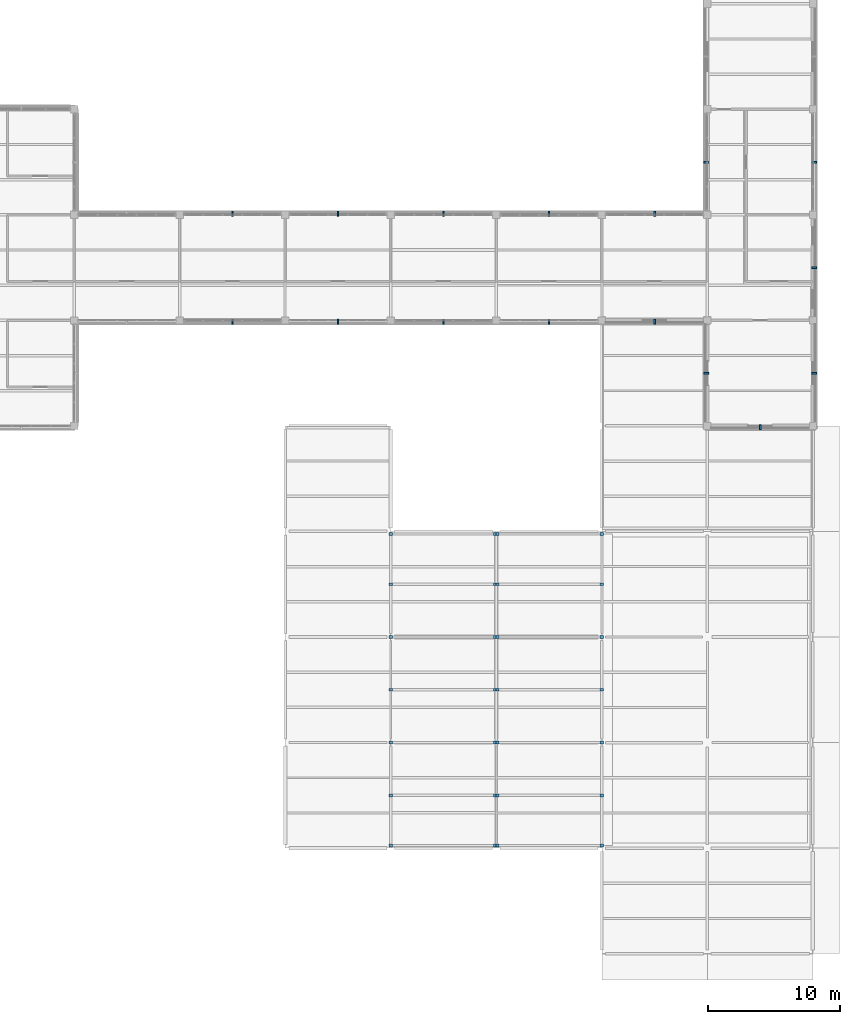
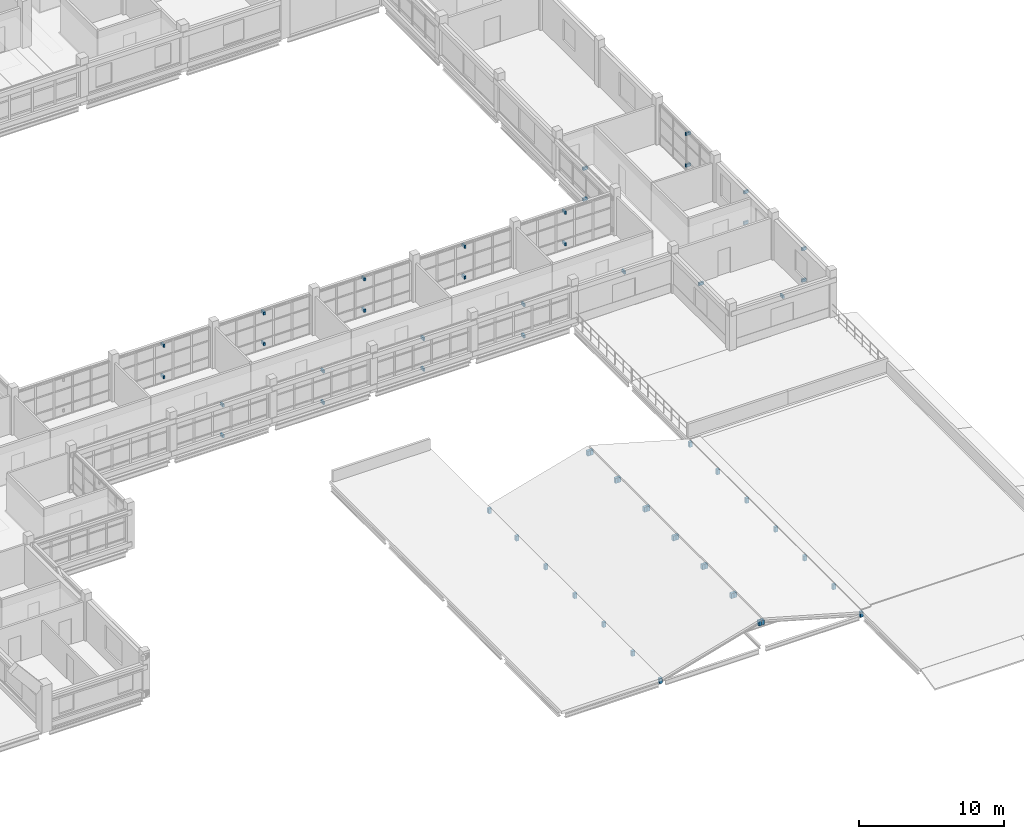
# One storey, part 81 of 92: 57 discrete accessories.
"""IFC4 building model written with IfcOpenShell, lengths in metres."""

from ifc_helpers import new_model, si_unit, derived_unit, direction, frame, origin, origin_2d, place, context, subcontext, project, spatial, rectangle, extrude, material, type_object, element, save


model = new_model("IFC4")

# Units and contexts
model_context = context("Model", 3, precision=1e-05, world=origin(), true_north=direction((0.0, 1.0)))
body_context = subcontext(model_context, "Body", "Model", "MODEL_VIEW")
ifc_project = project(units=[si_unit("LENGTHUNIT", "METRE"), si_unit("AREAUNIT", "SQUARE_METRE"), si_unit("VOLUMEUNIT", "CUBIC_METRE"), si_unit("PLANEANGLEUNIT", "RADIAN"), si_unit("MASSUNIT", "GRAM", prefix="KILO"), derived_unit("THERMALTRANSMITTANCEUNIT", [(si_unit("MASSUNIT", "GRAM", prefix="KILO"), 1), (si_unit("TIMEUNIT", "SECOND"), -3), (si_unit("THERMODYNAMICTEMPERATUREUNIT", "KELVIN"), -1)])], contexts=[model_context])

# Site, building, storey
site_placement = place(None, origin())
site = spatial("IfcSite", under=ifc_project, at=site_placement, CompositionType="ELEMENT")
building_placement = place(site_placement, origin())
building = spatial("IfcBuilding", under=site, at=building_placement, Name="Veyamyaing Civic Hall", CompositionType="ELEMENT")
storey_placement = place(building_placement, frame((0.0, 0.0, 17.820068359375)))
storey = spatial("IfcBuildingStorey", under=building, at=storey_placement, Name="L04", CompositionType="ELEMENT", Elevation=17.820068359375)

# Discrete accessories
ifc_material = material(Name="Steel S355J2", Category="steel")
discrete_accessory_type_1 = type_object("IfcDiscreteAccessoryType", Name="BK-01", PredefinedType="BRACKET", material=ifc_material)
for number, where, z_axis, x_axis, name in (
    (1, (132.0, 47.89990234375, 2.94873046875), (0.0, 0.0, 1.0), (0.0, -1.0, 0.0), "Sunshade anchor bracket BK-01 L04 S 17.7"),
    (2, (132.0, 47.89990234375, 0.35986328125), (0.0, 0.0, 1.0), (0.0, -1.0, 0.0), "Lower ribbon anchor bracket BK-01 L04 S 17.7"),
    (3, (132.0, 56.10009765625, 3.01171875), (0.0, 0.0, 1.0), (0.0, 1.0, 0.0), "Sunshade anchor bracket BK-01 L04 N 17.7"),
    (4, (132.0, 56.10009765625, 0.35986328125), (0.0, 0.0, 1.0), (0.0, 1.0, 0.0), "Lower ribbon anchor bracket BK-01 L04 N 17.7"),
    (5, (140.0, 47.89990234375, 3.01171875), (0.0, 0.0, 1.0), (0.0, -1.0, 0.0), "Sunshade anchor bracket BK-01 L04 S 18.7"),
    (6, (140.0, 47.89990234375, 0.35986328125), (0.0, 0.0, 1.0), (0.0, -1.0, 0.0), "Lower ribbon anchor bracket BK-01 L04 S 18.7"),
    (7, (140.0, 56.10009765625, 2.94482421875), (0.0, 0.0, 1.0), (0.0, 1.0, 0.0), "Sunshade anchor bracket BK-01 L04 N 18.7"),
    (8, (140.0, 56.10009765625, 0.35986328125), (0.0, 0.0, 1.0), (0.0, 1.0, 0.0), "Lower ribbon anchor bracket BK-01 L04 N 18.7"),
    (9, (148.0, 47.89990234375, 2.94482421875), (0.0, 0.0, 1.0), (0.0, -1.0, 0.0), "Sunshade anchor bracket BK-01 L04 S 19.7"),
    (10, (148.0, 47.89990234375, 0.35986328125), (0.0, 0.0, 1.0), (0.0, -1.0, 0.0), "Lower ribbon anchor bracket BK-01 L04 S 19.7"),
    (11, (148.0, 56.10009765625, 3.0087890625), (0.0, 0.0, 1.0), (0.0, 1.0, 0.0), "Sunshade anchor bracket BK-01 L04 N 19.7"),
    (12, (148.0, 56.10009765625, 0.35986328125), (0.0, 0.0, 1.0), (0.0, 1.0, 0.0), "Lower ribbon anchor bracket BK-01 L04 N 19.7"),
    (13, (156.0, 47.89990234375, 3.0087890625), (0.0, 0.0, 1.0), (0.0, -1.0, 0.0), "Sunshade anchor bracket BK-01 L04 S 20.7"),
    (14, (156.0, 47.89990234375, 0.35986328125), (0.0, 0.0, 1.0), (0.0, -1.0, 0.0), "Lower ribbon anchor bracket BK-01 L04 S 20.7"),
    (15, (156.0, 56.10009765625, 2.94873046875), (0.0, 0.0, 1.0), (0.0, 1.0, 0.0), "Sunshade anchor bracket BK-01 L04 N 20.7"),
    (16, (156.0, 56.10009765625, 0.35986328125), (0.0, 0.0, 1.0), (0.0, 1.0, 0.0), "Lower ribbon anchor bracket BK-01 L04 N 20.7"),
    (17, (164.0, 47.89990234375, 2.94873046875), (0.0, 0.0, 1.0), (0.0, -1.0, 0.0), "Sunshade anchor bracket BK-01 L04 S 21.7"),
    (18, (164.0, 56.10009765625, 3.01171875), (0.0, 0.0, 1.0), (0.0, 1.0, 0.0), "Sunshade anchor bracket BK-01 L04 N 21.7"),
    (19, (164.0, 56.10009765625, 0.35986328125), (0.0, 0.0, 1.0), (0.0, 1.0, 0.0), "Lower ribbon anchor bracket BK-01 L04 N 21.7"),
    (20, (172.0, 39.89990234375, 2.94873046875), (0.0, 0.0, 1.0), (0.0, -1.0, 0.0), "Sunshade anchor bracket BK-01 L04 S 22.6"),
    (21, (167.89990234375, 44.0, 2.94873046875), (0.0, 0.0, 1.0), (-1.0, 0.0, 0.0), "Sunshade anchor bracket BK-01 L04 W 22.6"),
    (22, (176.10009765625, 44.0, 3.01171875), (0.0, 0.0, 1.0), (1.0, 0.0, 0.0), "Sunshade anchor bracket BK-01 L04 E 22.6"),
    (23, (176.10009765625, 44.0, 0.35986328125), (0.0, 0.0, 1.0), (1.0, 0.0, 0.0), "Lower ribbon anchor bracket BK-01 L04 E 22.6"),
    (24, (176.10009765625, 52.0, 2.94482421875), (0.0, 0.0, 1.0), (1.0, 0.0, 0.0), "Sunshade anchor bracket BK-01 L04 E 22.7"),
    (25, (176.10009765625, 52.0, 0.35986328125), (0.0, 0.0, 1.0), (1.0, 0.0, 0.0), "Lower ribbon anchor bracket BK-01 L04 E 22.7"),
    (26, (167.89990234375, 60.0, 2.94482421875), (0.0, 0.0, 1.0), (-1.0, 0.0, 0.0), "Sunshade anchor bracket BK-01 L04 W 22.8"),
    (27, (167.89990234375, 60.0, 0.35986328125), (0.0, 0.0, 1.0), (-1.0, 0.0, 0.0), "Lower ribbon anchor bracket BK-01 L04 W 22.8"),
    (28, (176.10009765625, 60.0, 3.0087890625), (0.0, 0.0, 1.0), (1.0, 0.0, 0.0), "Sunshade anchor bracket BK-01 L04 E 22.8"),
    (29, (176.10009765625, 60.0, 0.35986328125), (0.0, 0.0, 1.0), (1.0, 0.0, 0.0), "Lower ribbon anchor bracket BK-01 L04 E 22.8"),
):
    element("IfcDiscreteAccessory", number, at=place(storey_placement, frame(where, z_axis=z_axis, x_axis=x_axis)), inside=storey, type_object=discrete_accessory_type_1, Name=name, PredefinedType="BRACKET", context=body_context, shape_type="SweptSolid", body=[
        extrude(rectangle(XDim=0.3798828125, YDim=0.139892578125, at=origin_2d()), origin(), (0.0, 0.0, 1.0), 0.239990234375),
    ])
discrete_accessory_type_2 = type_object("IfcDiscreteAccessoryType", Name="BK-02", PredefinedType="BRACKET", material=ifc_material)
for number, where, z_axis, x_axis, name in (
    (30, (144.0, 8.199951171875, -0.510009765625), (0.0, 0.0, 1.0), (1.0, 0.0, 0.0), "Library rafter eave end-plate bracket BK-02 W.1.0"),
    (31, (151.89990234375, 8.199951171875, 1.590087890625), (0.0, 0.0, 1.0), (1.0, 0.0, 0.0), "Library rafter ridge end-plate bracket BK-02 W.1.1"),
    (32, (160.0, 8.199951171875, -0.510009765625), (0.0, 0.0, 1.0), (1.0, 0.0, 0.0), "Library rafter eave end-plate bracket BK-02 E.1.0"),
    (33, (152.10009765625, 8.199951171875, 1.590087890625), (0.0, 0.0, 1.0), (1.0, 0.0, 0.0), "Library rafter ridge end-plate bracket BK-02 E.1.1"),
    (34, (144.0, 12.0, -0.510009765625), (0.0, 0.0, 1.0), (1.0, 0.0, 0.0), "Library rafter eave end-plate bracket BK-02 W.2.0"),
    (35, (151.89990234375, 12.0, 1.590087890625), (0.0, 0.0, 1.0), (1.0, 0.0, 0.0), "Library rafter ridge end-plate bracket BK-02 W.2.1"),
    (36, (160.0, 12.0, -0.510009765625), (0.0, 0.0, 1.0), (1.0, 0.0, 0.0), "Library rafter eave end-plate bracket BK-02 E.2.0"),
    (37, (152.10009765625, 12.0, 1.590087890625), (0.0, 0.0, 1.0), (1.0, 0.0, 0.0), "Library rafter ridge end-plate bracket BK-02 E.2.1"),
    (38, (144.0, 16.0, -0.510009765625), (0.0, 0.0, 1.0), (1.0, 0.0, 0.0), "Library rafter eave end-plate bracket BK-02 W.3.0"),
    (39, (151.89990234375, 16.0, 1.590087890625), (0.0, 0.0, 1.0), (1.0, 0.0, 0.0), "Library rafter ridge end-plate bracket BK-02 W.3.1"),
    (40, (160.0, 16.0, -0.510009765625), (0.0, 0.0, 1.0), (1.0, 0.0, 0.0), "Library rafter eave end-plate bracket BK-02 E.3.0"),
    (41, (152.10009765625, 16.0, 1.590087890625), (0.0, 0.0, 1.0), (1.0, 0.0, 0.0), "Library rafter ridge end-plate bracket BK-02 E.3.1"),
    (42, (144.0, 20.0, -0.510009765625), (0.0, 0.0, 1.0), (1.0, 0.0, 0.0), "Library rafter eave end-plate bracket BK-02 W.4.0"),
    (43, (151.89990234375, 20.0, 1.590087890625), (0.0, 0.0, 1.0), (1.0, 0.0, 0.0), "Library rafter ridge end-plate bracket BK-02 W.4.1"),
    (44, (160.0, 20.0, -0.510009765625), (0.0, 0.0, 1.0), (1.0, 0.0, 0.0), "Library rafter eave end-plate bracket BK-02 E.4.0"),
    (45, (152.10009765625, 20.0, 1.590087890625), (0.0, 0.0, 1.0), (1.0, 0.0, 0.0), "Library rafter ridge end-plate bracket BK-02 E.4.1"),
    (46, (144.0, 24.0, -0.510009765625), (0.0, 0.0, 1.0), (1.0, 0.0, 0.0), "Library rafter eave end-plate bracket BK-02 W.5.0"),
    (47, (151.89990234375, 24.0, 1.590087890625), (0.0, 0.0, 1.0), (1.0, 0.0, 0.0), "Library rafter ridge end-plate bracket BK-02 W.5.1"),
    (48, (160.0, 24.0, -0.510009765625), (0.0, 0.0, 1.0), (1.0, 0.0, 0.0), "Library rafter eave end-plate bracket BK-02 E.5.0"),
    (49, (152.10009765625, 24.0, 1.590087890625), (0.0, 0.0, 1.0), (1.0, 0.0, 0.0), "Library rafter ridge end-plate bracket BK-02 E.5.1"),
    (50, (144.0, 28.0, -0.510009765625), (0.0, 0.0, 1.0), (1.0, 0.0, 0.0), "Library rafter eave end-plate bracket BK-02 W.6.0"),
    (51, (151.89990234375, 28.0, 1.590087890625), (0.0, 0.0, 1.0), (1.0, 0.0, 0.0), "Library rafter ridge end-plate bracket BK-02 W.6.1"),
    (52, (160.0, 28.0, -0.510009765625), (0.0, 0.0, 1.0), (1.0, 0.0, 0.0), "Library rafter eave end-plate bracket BK-02 E.6.0"),
    (53, (152.10009765625, 28.0, 1.590087890625), (0.0, 0.0, 1.0), (1.0, 0.0, 0.0), "Library rafter ridge end-plate bracket BK-02 E.6.1"),
    (54, (144.0, 31.800048828125, -0.510009765625), (0.0, 0.0, 1.0), (1.0, 0.0, 0.0), "Library rafter eave end-plate bracket BK-02 W.7.0"),
    (55, (151.89990234375, 31.800048828125, 1.590087890625), (0.0, 0.0, 1.0), (1.0, 0.0, 0.0), "Library rafter ridge end-plate bracket BK-02 W.7.1"),
    (56, (160.0, 31.800048828125, -0.510009765625), (0.0, 0.0, 1.0), (1.0, 0.0, 0.0), "Library rafter eave end-plate bracket BK-02 E.7.0"),
    (57, (152.10009765625, 31.800048828125, 1.590087890625), (0.0, 0.0, 1.0), (1.0, 0.0, 0.0), "Library rafter ridge end-plate bracket BK-02 E.7.1"),
):
    element("IfcDiscreteAccessory", number, at=place(storey_placement, frame(where, z_axis=z_axis, x_axis=x_axis)), inside=storey, type_object=discrete_accessory_type_2, Name=name, PredefinedType="BRACKET", context=body_context, shape_type="SweptSolid", body=[
        extrude(rectangle(XDim=0.239990234375, YDim=0.219970703125, at=origin_2d()), origin(), (0.0, 0.0, 1.0), 0.419921875),
    ])

save(model, "model.ifc")
